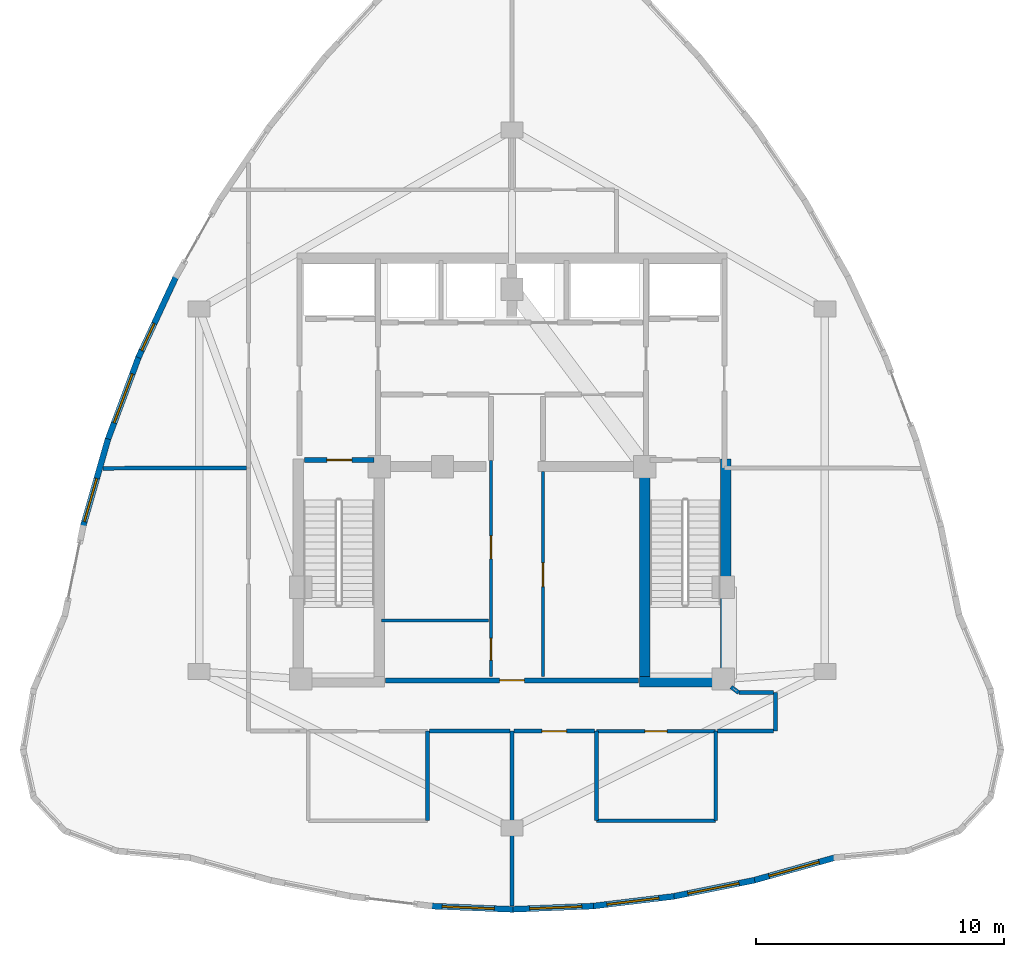
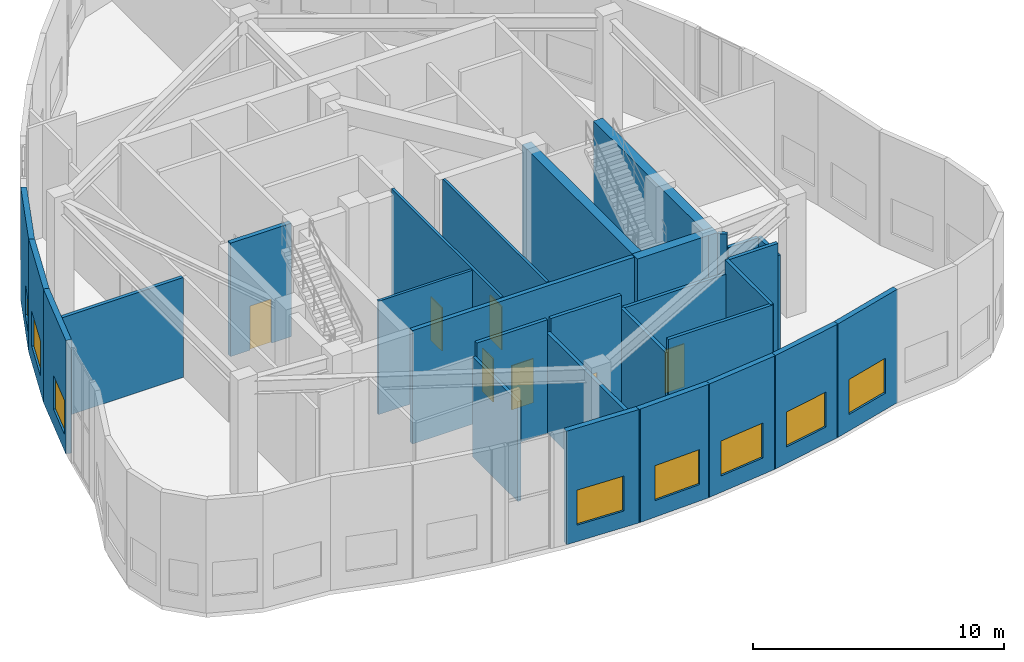
# One storey, part 12 of 16: 29 walls, 8 windows, 7 doors, 15 openings.
"""IFC4 building model written with IfcOpenShell, lengths in metres."""

from ifc_helpers import new_model, si_unit, direction, frame, frame_2d, origin, place, context, subcontext, project, spatial, rectangle, extrude, material, layer, layer_set, type_object, element, fill, save


model = new_model("IFC4")

# Units and contexts
model_context = context("Model", 3, precision=1e-05, world=origin(), true_north=direction((0.0, 1.0)))
body_context = subcontext(model_context, "Body", "Model", "MODEL_VIEW")
ifc_project = project(units=[si_unit("LENGTHUNIT", "METRE"), si_unit("AREAUNIT", "SQUARE_METRE"), si_unit("VOLUMEUNIT", "CUBIC_METRE"), si_unit("PLANEANGLEUNIT", "RADIAN"), si_unit("MASSUNIT", "GRAM", prefix="KILO")], contexts=[model_context])

# Site, building, storey
site_placement = place(None, origin())
site = spatial("IfcSite", under=ifc_project, at=site_placement, CompositionType="ELEMENT")
building_placement = place(site_placement, origin())
building = spatial("IfcBuilding", under=site, at=building_placement, Name="Miruveldt Soraemaru", CompositionType="ELEMENT")
storey_placement = place(building_placement, frame((0.0, 0.0, 289.60009765625)))
storey = spatial("IfcBuildingStorey", under=building, at=storey_placement, Name="L78", CompositionType="ELEMENT", Elevation=289.60009765625)

# Walls
ifc_material_1 = material(Name="Concrete C50/60 (50 MPa)", Category="concrete")
ifc_layer_1 = layer(ifc_material_1, 0.419921875, Name="Concrete C50/60 (50 MPa)", Category="concrete")
ifc_layer_set_1 = layer_set([ifc_layer_1], Name="Concrete C50/60 (50 MPa)")
wall_type_1 = type_object("IfcWallType", Name="WALL-CW-420", PredefinedType="SHEAR", material=ifc_layer_set_1)
wall_1_placement = place(storey_placement, frame((49.1298828125, 35.389892578125, 0.0), z_axis=(0.0, 0.0, 1.0), x_axis=(1.0, 0.0, 0.0)))
element("IfcWall", 1, at=wall_1_placement, inside=storey, type_object=wall_type_1, Name="L78 Central Core Shear Wall S2", PredefinedType="SHEAR", context=body_context, shape_type="SweptSolid", body=[
    extrude(rectangle(XDim=3.690185546875, YDim=0.419921875, at=frame_2d((1.84521484375, 0.0))), origin(), (0.0, 0.0, 1.0), 5.510009765625),
])
wall_2_placement = place(storey_placement, frame((52.610107421875, 35.179931640625, 0.0), z_axis=(0.0, 0.0, 1.0), x_axis=(0.0, 1.0, 0.0)))
element("IfcWall", 2, at=wall_2_placement, inside=storey, type_object=wall_type_1, Name="L78 Central Core Shear Wall E1", PredefinedType="SHEAR", context=body_context, shape_type="SweptSolid", body=[
    extrude(rectangle(XDim=9.170166015625, YDim=0.419921875, at=frame_2d((4.5849609375, 0.0))), origin(), (0.0, 0.0, 1.0), 5.510009765625),
])
wall_3_placement = place(storey_placement, frame((49.340087890625, 35.39990234375, 0.0), z_axis=(0.0, 0.0, 1.0), x_axis=(0.0, 1.0, 0.0)))
element("IfcWall", 3, at=wall_3_placement, inside=storey, type_object=wall_type_1, Name="L78 Central Core Shear Wall SE-INT", PredefinedType="SHEAR", context=body_context, shape_type="SweptSolid", body=[
    extrude(rectangle(XDim=8.9501953125, YDim=0.419921875, at=frame_2d((4.47509765625, 0.0))), origin(), (0.0, 0.0, 1.0), 5.510009765625),
])

# Wall, opening, window
ifc_material_2 = material(Name="Precast concrete C45/55 (45 MPa)", Category="concrete")
ifc_layer_2 = layer(ifc_material_2, 0.239990234375, Name="Precast concrete C45/55 (45 MPa)", Category="concrete")
ifc_layer_set_2 = layer_set([ifc_layer_2], Name="Precast concrete C45/55 (45 MPa)")
wall_type_2 = type_object("IfcWallType", Name="WALL-EXT-PC240", PredefinedType="SOLIDWALL", material=ifc_layer_set_2)
wall_4_placement = place(storey_placement, frame((30.482421875, 51.718017578125, 0.0), z_axis=(0.0, 0.0, 1.0), x_axis=(-0.422315808977, -0.906448761645, 0.0)))
wall_4 = element("IfcWall", 4, at=wall_4_placement, inside=storey, type_object=wall_type_2, Name="L78 Precast Concrete Facade Wall 11", PredefinedType="SOLIDWALL", context=body_context, shape_type="SweptSolid", body=[
    extrude(rectangle(XDim=3.61376953125, YDim=0.239990234375, at=frame_2d((1.806884765625, 0.0))), origin(), (0.0, 0.0, 1.0), 5.510009765625),
])
opening_1_placement = place(wall_4_placement, frame((2.094970703125, 0.0, 0.780029296875)))
opening_1 = element("IfcOpeningElement", 5, at=opening_1_placement, cuts=wall_4, Name="Opening WN-4", PredefinedType="OPENING", context=body_context, shape_type="SweptSolid", body=[
    extrude(rectangle(XDim=1.199951171875, YDim=1.550048828125, at=frame_2d((0.60009765625, 0.77490234375))), frame((0.0, 0.1298828125, 0.0), z_axis=(0.0, -1.0, 0.0), x_axis=(1.0, 0.0, 0.0)), (0.0, 0.0, 1.0), 0.260009765625),
])
ifc_material_3 = material(Name="Triple low-e insulated glazing", Category="glass")
window_type_1 = type_object("IfcWindowType", Name="WIN-PUNCH-1200x1550", PartitioningType="SINGLE_PANEL", PredefinedType="WINDOW", material=ifc_material_3)
window_1_placement = place(opening_1_placement, origin())
window_1 = element("IfcWindow", 6, at=window_1_placement, inside=storey, type_object=window_type_1, Name="L78 Punched Triple-Glazed Window 11.1", OverallHeight=1.550048828125, OverallWidth=1.199951171875, PartitioningType="SINGLE_PANEL", PredefinedType="WINDOW", context=body_context, shape_type="SweptSolid", body=[
    extrude(rectangle(XDim=1.199951171875, YDim=1.550048828125, at=frame_2d((0.60009765625, 0.77490234375))), frame((0.0, 0.030029296875, 0.0), z_axis=(0.0, -1.0, 0.0), x_axis=(1.0, 0.0, 0.0)), (0.0, 0.0, 1.0), 0.06005859375),
])
fill(opening_1, window_1)

wall_5_placement = place(storey_placement, frame((28.9833984375, 48.507080078125, 0.0), z_axis=(0.0, 0.0, 1.0), x_axis=(-0.349010754506, -0.937118718861, 0.0)))
wall_5 = element("IfcWall", 7, at=wall_5_placement, inside=storey, type_object=wall_type_2, Name="L78 Precast Concrete Facade Wall 12", PredefinedType="SOLIDWALL", context=body_context, shape_type="SweptSolid", body=[
    extrude(rectangle(XDim=3.63623046875, YDim=0.239990234375, at=frame_2d((1.818115234375, 0.0))), origin(), (0.0, 0.0, 1.0), 5.510009765625),
])
opening_2_placement = place(wall_5_placement, frame((0.76806640625, 0.0, 0.800048828125)))
opening_2 = element("IfcOpeningElement", 8, at=opening_2_placement, cuts=wall_5, Name="Opening WN-1", PredefinedType="OPENING", context=body_context, shape_type="SweptSolid", body=[
    extrude(rectangle(XDim=2.10009765625, YDim=1.699951171875, at=frame_2d((1.050048828125, 0.85009765625))), frame((0.0, 0.1298828125, 0.0), z_axis=(0.0, -1.0, 0.0), x_axis=(1.0, 0.0, 0.0)), (0.0, 0.0, 1.0), 0.260009765625),
])
window_type_2 = type_object("IfcWindowType", Name="WIN-PUNCH-2100x1700", PartitioningType="SINGLE_PANEL", PredefinedType="WINDOW", material=ifc_material_3)
window_2_placement = place(opening_2_placement, origin())
window_2 = element("IfcWindow", 9, at=window_2_placement, inside=storey, type_object=window_type_2, Name="L78 Punched Triple-Glazed Window 12.1", OverallHeight=1.699951171875, OverallWidth=2.10009765625, PartitioningType="SINGLE_PANEL", PredefinedType="WINDOW", context=body_context, shape_type="SweptSolid", body=[
    extrude(rectangle(XDim=2.10009765625, YDim=1.699951171875, at=frame_2d((1.050048828125, 0.85009765625))), frame((0.0, 0.030029296875, 0.0), z_axis=(0.0, -1.0, 0.0), x_axis=(1.0, 0.0, 0.0)), (0.0, 0.0, 1.0), 0.06005859375),
])
fill(opening_2, window_2)

wall_6_placement = place(storey_placement, frame((27.736083984375, 45.166015625, 0.0), z_axis=(0.0, 0.0, 1.0), x_axis=(-0.274940136743, -0.961461346705, 0.0)))
wall_6 = element("IfcWall", 10, at=wall_6_placement, inside=storey, type_object=wall_type_2, Name="L78 Precast Concrete Facade Wall 13", PredefinedType="SOLIDWALL", context=body_context, shape_type="SweptSolid", body=[
    extrude(rectangle(XDim=3.6806640625, YDim=0.239990234375, at=frame_2d((1.84033203125, 0.0))), origin(), (0.0, 0.0, 1.0), 5.510009765625),
])
opening_3_placement = place(wall_6_placement, frame((1.655029296875, 0.0, 0.800048828125)))
opening_3 = element("IfcOpeningElement", 11, at=opening_3_placement, cuts=wall_6, Name="Opening WN-2", PredefinedType="OPENING", context=body_context, shape_type="SweptSolid", body=[
    extrude(rectangle(XDim=1.800048828125, YDim=1.64990234375, at=frame_2d((0.89990234375, 0.824951171875))), frame((0.0, 0.1298828125, 0.0), z_axis=(0.0, -1.0, 0.0), x_axis=(1.0, 0.0, 0.0)), (0.0, 0.0, 1.0), 0.260009765625),
])
window_type_3 = type_object("IfcWindowType", Name="WIN-PUNCH-1800x1650", PartitioningType="SINGLE_PANEL", PredefinedType="WINDOW", material=ifc_material_3)
window_3_placement = place(opening_3_placement, origin())
window_3 = element("IfcWindow", 12, at=window_3_placement, inside=storey, type_object=window_type_3, Name="L78 Punched Triple-Glazed Window 13.1", OverallHeight=1.64990234375, OverallWidth=1.800048828125, PartitioningType="SINGLE_PANEL", PredefinedType="WINDOW", context=body_context, shape_type="SweptSolid", body=[
    extrude(rectangle(XDim=1.800048828125, YDim=1.64990234375, at=frame_2d((0.89990234375, 0.824951171875))), frame((0.0, 0.030029296875, 0.0), z_axis=(0.0, -1.0, 0.0), x_axis=(1.0, 0.0, 0.0)), (0.0, 0.0, 1.0), 0.06005859375),
])
fill(opening_3, window_3)

wall_7_placement = place(storey_placement, frame((40.72021484375, 26.358642578125, 0.0), z_axis=(0.0, 0.0, 1.0), x_axis=(0.999201193833, -0.039962160142, 0.0)))
wall_7 = element("IfcWall", 13, at=wall_7_placement, inside=storey, type_object=wall_type_2, Name="L78 Precast Concrete Facade Wall 24", PredefinedType="SOLIDWALL", context=body_context, shape_type="SweptSolid", body=[
    extrude(rectangle(XDim=3.3173828125, YDim=0.239990234375, at=frame_2d((1.65869140625, 0.0))), origin(), (0.0, 0.0, 1.0), 5.510009765625),
])
opening_4_placement = place(wall_7_placement, frame((0.468994140625, 0.0, 0.800048828125)))
opening_4 = element("IfcOpeningElement", 14, at=opening_4_placement, cuts=wall_7, Name="Opening WN-1", PredefinedType="OPENING", context=body_context, shape_type="SweptSolid", body=[
    extrude(rectangle(XDim=2.10009765625, YDim=1.699951171875, at=frame_2d((1.050048828125, 0.85009765625))), frame((0.0, 0.1298828125, 0.0), z_axis=(0.0, -1.0, 0.0), x_axis=(1.0, 0.0, 0.0)), (0.0, 0.0, 1.0), 0.260009765625),
])
window_4_placement = place(opening_4_placement, origin())
window_4 = element("IfcWindow", 15, at=window_4_placement, inside=storey, type_object=window_type_2, Name="L78 Punched Triple-Glazed Window 24.1", OverallHeight=1.699951171875, OverallWidth=2.10009765625, PartitioningType="SINGLE_PANEL", PredefinedType="WINDOW", context=body_context, shape_type="SweptSolid", body=[
    extrude(rectangle(XDim=2.10009765625, YDim=1.699951171875, at=frame_2d((1.050048828125, 0.85009765625))), frame((0.0, 0.030029296875, 0.0), z_axis=(0.0, -1.0, 0.0), x_axis=(1.0, 0.0, 0.0)), (0.0, 0.0, 1.0), 0.06005859375),
])
fill(opening_4, window_4)

wall_8_placement = place(storey_placement, frame((43.965087890625, 26.22607421875, 0.0), z_axis=(0.0, 0.0, 1.0), x_axis=(0.999201193833, 0.039962160142, 0.0)))
wall_8 = element("IfcWall", 16, at=wall_8_placement, inside=storey, type_object=wall_type_2, Name="L78 Precast Concrete Facade Wall 25", PredefinedType="SOLIDWALL", context=body_context, shape_type="SweptSolid", body=[
    extrude(rectangle(XDim=3.3173828125, YDim=0.239990234375, at=frame_2d((1.65869140625, 0.0))), origin(), (0.0, 0.0, 1.0), 5.510009765625),
])
opening_5_placement = place(wall_8_placement, frame((0.748046875, 0.0, 0.800048828125)))
opening_5 = element("IfcOpeningElement", 17, at=opening_5_placement, cuts=wall_8, Name="Opening WN-1", PredefinedType="OPENING", context=body_context, shape_type="SweptSolid", body=[
    extrude(rectangle(XDim=2.10009765625, YDim=1.699951171875, at=frame_2d((1.050048828125, 0.85009765625))), frame((0.0, 0.1298828125, 0.0), z_axis=(0.0, -1.0, 0.0), x_axis=(1.0, 0.0, 0.0)), (0.0, 0.0, 1.0), 0.260009765625),
])
window_5_placement = place(opening_5_placement, origin())
window_5 = element("IfcWindow", 18, at=window_5_placement, inside=storey, type_object=window_type_2, Name="L78 Punched Triple-Glazed Window 25.1", OverallHeight=1.699951171875, OverallWidth=2.10009765625, PartitioningType="SINGLE_PANEL", PredefinedType="WINDOW", context=body_context, shape_type="SweptSolid", body=[
    extrude(rectangle(XDim=2.10009765625, YDim=1.699951171875, at=frame_2d((1.050048828125, 0.85009765625))), frame((0.0, 0.030029296875, 0.0), z_axis=(0.0, -1.0, 0.0), x_axis=(1.0, 0.0, 0.0)), (0.0, 0.0, 1.0), 0.06005859375),
])
fill(opening_5, window_5)

wall_9_placement = place(storey_placement, frame((47.2099609375, 26.35302734375, 0.0), z_axis=(0.0, 0.0, 1.0), x_axis=(0.992876838487, 0.119145220618, 0.0)))
wall_9 = element("IfcWall", 19, at=wall_9_placement, inside=storey, type_object=wall_type_2, Name="L78 Precast Concrete Facade Wall 26", PredefinedType="SOLIDWALL", context=body_context, shape_type="SweptSolid", body=[
    extrude(rectangle(XDim=3.337890625, YDim=0.239990234375, at=frame_2d((1.6689453125, 0.0))), origin(), (0.0, 0.0, 1.0), 5.510009765625),
])
opening_6_placement = place(wall_9_placement, frame((0.618896484375, 0.0, 0.800048828125)))
opening_6 = element("IfcOpeningElement", 20, at=opening_6_placement, cuts=wall_9, Name="Opening WN-1", PredefinedType="OPENING", context=body_context, shape_type="SweptSolid", body=[
    extrude(rectangle(XDim=2.10009765625, YDim=1.699951171875, at=frame_2d((1.050048828125, 0.85009765625))), frame((0.0, 0.1298828125, 0.0), z_axis=(0.0, -1.0, 0.0), x_axis=(1.0, 0.0, 0.0)), (0.0, 0.0, 1.0), 0.260009765625),
])
window_6_placement = place(opening_6_placement, origin())
window_6 = element("IfcWindow", 21, at=window_6_placement, inside=storey, type_object=window_type_2, Name="L78 Punched Triple-Glazed Window 26.1", OverallHeight=1.699951171875, OverallWidth=2.10009765625, PartitioningType="SINGLE_PANEL", PredefinedType="WINDOW", context=body_context, shape_type="SweptSolid", body=[
    extrude(rectangle(XDim=2.10009765625, YDim=1.699951171875, at=frame_2d((1.050048828125, 0.85009765625))), frame((0.0, 0.030029296875, 0.0), z_axis=(0.0, -1.0, 0.0), x_axis=(1.0, 0.0, 0.0)), (0.0, 0.0, 1.0), 0.06005859375),
])
fill(opening_6, window_6)

wall_10_placement = place(storey_placement, frame((50.455078125, 26.73974609375, 0.0), z_axis=(0.0, 0.0, 1.0), x_axis=(0.980583454662, 0.196102239772, 0.0)))
wall_10 = element("IfcWall", 22, at=wall_10_placement, inside=storey, type_object=wall_type_2, Name="L78 Precast Concrete Facade Wall 27", PredefinedType="SOLIDWALL", context=body_context, shape_type="SweptSolid", body=[
    extrude(rectangle(XDim=3.37890625, YDim=0.239990234375, at=frame_2d((1.689453125, 0.0))), origin(), (0.0, 0.0, 1.0), 5.510009765625),
])
opening_7_placement = place(wall_10_placement, frame((0.638916015625, 0.0, 0.800048828125)))
opening_7 = element("IfcOpeningElement", 23, at=opening_7_placement, cuts=wall_10, Name="Opening WN-1", PredefinedType="OPENING", context=body_context, shape_type="SweptSolid", body=[
    extrude(rectangle(XDim=2.10009765625, YDim=1.699951171875, at=frame_2d((1.050048828125, 0.85009765625))), frame((0.0, 0.1298828125, 0.0), z_axis=(0.0, -1.0, 0.0), x_axis=(1.0, 0.0, 0.0)), (0.0, 0.0, 1.0), 0.260009765625),
])
window_7_placement = place(opening_7_placement, origin())
window_7 = element("IfcWindow", 24, at=window_7_placement, inside=storey, type_object=window_type_2, Name="L78 Punched Triple-Glazed Window 27.1", OverallHeight=1.699951171875, OverallWidth=2.10009765625, PartitioningType="SINGLE_PANEL", PredefinedType="WINDOW", context=body_context, shape_type="SweptSolid", body=[
    extrude(rectangle(XDim=2.10009765625, YDim=1.699951171875, at=frame_2d((1.050048828125, 0.85009765625))), frame((0.0, 0.030029296875, 0.0), z_axis=(0.0, -1.0, 0.0), x_axis=(1.0, 0.0, 0.0)), (0.0, 0.0, 1.0), 0.06005859375),
])
fill(opening_7, window_7)

wall_11_placement = place(storey_placement, frame((53.7001953125, 27.385986328125, 0.0), z_axis=(0.0, 0.0, 1.0), x_axis=(0.962954435357, 0.269664153024, 0.0)))
wall_11 = element("IfcWall", 25, at=wall_11_placement, inside=storey, type_object=wall_type_2, Name="L78 Precast Concrete Facade Wall 28", PredefinedType="SOLIDWALL", context=body_context, shape_type="SweptSolid", body=[
    extrude(rectangle(XDim=3.439453125, YDim=0.239990234375, at=frame_2d((1.7197265625, 0.0))), origin(), (0.0, 0.0, 1.0), 5.510009765625),
])
opening_8_placement = place(wall_11_placement, frame((0.6689453125, 0.0, 0.800048828125)))
opening_8 = element("IfcOpeningElement", 26, at=opening_8_placement, cuts=wall_11, Name="Opening WN-1", PredefinedType="OPENING", context=body_context, shape_type="SweptSolid", body=[
    extrude(rectangle(XDim=2.10009765625, YDim=1.699951171875, at=frame_2d((1.050048828125, 0.85009765625))), frame((0.0, 0.1298828125, 0.0), z_axis=(0.0, -1.0, 0.0), x_axis=(1.0, 0.0, 0.0)), (0.0, 0.0, 1.0), 0.260009765625),
])
window_8_placement = place(opening_8_placement, origin())
window_8 = element("IfcWindow", 27, at=window_8_placement, inside=storey, type_object=window_type_2, Name="L78 Punched Triple-Glazed Window 28.1", OverallHeight=1.699951171875, OverallWidth=2.10009765625, PartitioningType="SINGLE_PANEL", PredefinedType="WINDOW", context=body_context, shape_type="SweptSolid", body=[
    extrude(rectangle(XDim=2.10009765625, YDim=1.699951171875, at=frame_2d((1.050048828125, 0.85009765625))), frame((0.0, 0.030029296875, 0.0), z_axis=(0.0, -1.0, 0.0), x_axis=(1.0, 0.0, 0.0)), (0.0, 0.0, 1.0), 0.06005859375),
])
fill(opening_8, window_8)

# Wall, openings, doors
ifc_material_4 = material(Name="Gypsum plasterboard lining", Category="gypsum")
ifc_layer_3 = layer(ifc_material_4, 0.1201171875, Name="Gypsum plasterboard lining", Category="gypsum")
ifc_layer_set_3 = layer_set([ifc_layer_3], Name="Gypsum plasterboard lining")
wall_type_3 = type_object("IfcWallType", Name="WALL-INT-P120", PredefinedType="PARTITIONING", material=ifc_layer_set_3)
wall_12_placement = place(storey_placement, frame((43.14990234375, 35.60009765625, 0.0), z_axis=(0.0, 0.0, 1.0), x_axis=(0.0, 1.0, 0.0)))
wall_12 = element("IfcWall", 28, at=wall_12_placement, inside=storey, type_object=wall_type_3, Name="L78 Core Compartment Wall SP-WL", PredefinedType="PARTITIONING", context=body_context, shape_type="SweptSolid", body=[
    extrude(rectangle(XDim=8.699951171875, YDim=0.1201171875, at=frame_2d((4.35009765625, 0.0))), origin(), (0.0, 0.0, 1.0), 5.510009765625),
])
opening_9_placement = place(wall_12_placement, frame((0.659912109375, 0.0, 0.0)))
opening_9 = element("IfcOpeningElement", 29, at=opening_9_placement, cuts=wall_12, Name="Opening D4", PredefinedType="OPENING", context=body_context, shape_type="SweptSolid", body=[
    extrude(rectangle(XDim=0.8798828125, YDim=2.10009765625, at=frame_2d((0.43994140625, 1.050048828125))), frame((0.0, 0.070068359375, 0.0), z_axis=(0.0, -1.0, 0.0), x_axis=(1.0, 0.0, 0.0)), (0.0, 0.0, 1.0), 0.14013671875),
])
opening_10_placement = place(wall_12_placement, frame((4.739990234375, 0.0, 0.0)))
opening_10 = element("IfcOpeningElement", 30, at=opening_10_placement, cuts=wall_12, Name="Opening D3A", PredefinedType="OPENING", context=body_context, shape_type="SweptSolid", body=[
    extrude(rectangle(XDim=0.919921875, YDim=2.10009765625, at=frame_2d((0.4599609375, 1.050048828125))), frame((0.0, 0.070068359375, 0.0), z_axis=(0.0, -1.0, 0.0), x_axis=(1.0, 0.0, 0.0)), (0.0, 0.0, 1.0), 0.14013671875),
])
ifc_material_5 = material(Name="Anodised aluminium EN AW-6063 T6", Category="aluminium")
door_type_1 = type_object("IfcDoorType", Name="DOOR-INT-880", OperationType="NOTDEFINED", PredefinedType="DOOR", material=ifc_material_5)
door_1_placement = place(opening_9_placement, origin())
door_1 = element("IfcDoor", 31, at=door_1_placement, inside=storey, type_object=door_type_1, Name="L78 Fire Door", OperationType="SINGLE_SWING_LEFT", OverallHeight=2.10009765625, OverallWidth=0.8798828125, PredefinedType="DOOR", context=body_context, shape_type="SweptSolid", body=[
    extrude(rectangle(XDim=0.8798828125, YDim=2.10009765625, at=frame_2d((0.43994140625, 1.050048828125))), frame((0.0, 0.02490234375, 0.0), z_axis=(0.0, -1.0, 0.0), x_axis=(1.0, 0.0, 0.0)), (0.0, 0.0, 1.0), 0.050048828125),
])
fill(opening_9, door_1)
door_type_2 = type_object("IfcDoorType", Name="DOOR-INT-920", OperationType="NOTDEFINED", PredefinedType="DOOR", material=ifc_material_5)
door_2_placement = place(opening_10_placement, origin())
door_2 = element("IfcDoor", 32, at=door_2_placement, inside=storey, type_object=door_type_2, Name="L78 Fire Door", OperationType="SINGLE_SWING_LEFT", OverallHeight=2.10009765625, OverallWidth=0.919921875, PredefinedType="DOOR", context=body_context, shape_type="SweptSolid", body=[
    extrude(rectangle(XDim=0.919921875, YDim=2.10009765625, at=frame_2d((0.4599609375, 1.050048828125))), frame((0.0, 0.02490234375, 0.0), z_axis=(0.0, -1.0, 0.0), x_axis=(1.0, 0.0, 0.0)), (0.0, 0.0, 1.0), 0.050048828125),
])
fill(opening_10, door_2)

# Wall, opening, door
wall_13_placement = place(storey_placement, frame((45.25, 35.60009765625, 0.0), z_axis=(0.0, 0.0, 1.0), x_axis=(0.0, 1.0, 0.0)))
wall_13 = element("IfcWall", 33, at=wall_13_placement, inside=storey, type_object=wall_type_3, Name="L78 Core Compartment Wall SP-EL", PredefinedType="PARTITIONING", context=body_context, shape_type="SweptSolid", body=[
    extrude(rectangle(XDim=8.25, YDim=0.1201171875, at=frame_2d((4.125, 0.0))), origin(), (0.0, 0.0, 1.0), 5.510009765625),
])
opening_11_placement = place(wall_13_placement, frame((3.625, 0.0, 0.0)))
opening_11 = element("IfcOpeningElement", 34, at=opening_11_placement, cuts=wall_13, Name="Opening D2", PredefinedType="OPENING", context=body_context, shape_type="SweptSolid", body=[
    extrude(rectangle(XDim=0.949951171875, YDim=2.10009765625, at=frame_2d((0.47509765625, 1.050048828125))), frame((0.0, 0.070068359375, 0.0), z_axis=(0.0, -1.0, 0.0), x_axis=(1.0, 0.0, 0.0)), (0.0, 0.0, 1.0), 0.14013671875),
])
door_type_3 = type_object("IfcDoorType", Name="DOOR-INT-950", OperationType="NOTDEFINED", PredefinedType="DOOR", material=ifc_material_5)
door_3_placement = place(opening_11_placement, origin())
door_3 = element("IfcDoor", 35, at=door_3_placement, inside=storey, type_object=door_type_3, Name="L78 Fire Door", OperationType="SINGLE_SWING_LEFT", OverallHeight=2.10009765625, OverallWidth=0.949951171875, PredefinedType="DOOR", context=body_context, shape_type="SweptSolid", body=[
    extrude(rectangle(XDim=0.949951171875, YDim=2.10009765625, at=frame_2d((0.47509765625, 1.050048828125))), frame((0.0, 0.02490234375, 0.0), z_axis=(0.0, -1.0, 0.0), x_axis=(1.0, 0.0, 0.0)), (0.0, 0.0, 1.0), 0.050048828125),
])
fill(opening_11, door_3)

# Wall
wall_14_placement = place(storey_placement, frame((38.75, 37.85009765625, 0.0), z_axis=(0.0, 0.0, 1.0), x_axis=(1.0, 0.0, 0.0)))
element("IfcWall", 36, at=wall_14_placement, inside=storey, type_object=wall_type_3, Name="L78 Core Compartment Wall RL-W1H", PredefinedType="PARTITIONING", context=body_context, shape_type="SweptSolid", body=[
    extrude(rectangle(XDim=4.300048828125, YDim=0.1201171875, at=frame_2d((2.14990234375, 0.0))), origin(), (0.0, 0.0, 1.0), 5.510009765625),
])

# Wall, opening, door
ifc_layer_4 = layer(ifc_material_4, 0.14990234375, Name="Gypsum plasterboard lining", Category="gypsum")
ifc_layer_set_4 = layer_set([ifc_layer_4], Name="Gypsum plasterboard lining")
wall_type_4 = type_object("IfcWallType", Name="WALL-INT-PLUMB", PredefinedType="PLUMBINGWALL", material=ifc_layer_set_4)
wall_15_placement = place(storey_placement, frame((47.39990234375, 33.39990234375, 0.0), z_axis=(0.0, 0.0, 1.0), x_axis=(1.0, 0.0, 0.0)))
wall_15 = element("IfcWall", 37, at=wall_15_placement, inside=storey, type_object=wall_type_4, Name="L78 Partition Wall 2", PredefinedType="PLUMBINGWALL", context=body_context, shape_type="SweptSolid", body=[
    extrude(rectangle(XDim=4.800048828125, YDim=0.14990234375, at=frame_2d((2.39990234375, 0.0))), origin(), (0.0, 0.0, 1.0), 4.847900390625),
])
opening_12_placement = place(wall_15_placement, frame((1.949951171875, 0.0, 0.0)))
opening_12 = element("IfcOpeningElement", 38, at=opening_12_placement, cuts=wall_15, Name="Opening D3", PredefinedType="OPENING", context=body_context, shape_type="SweptSolid", body=[
    extrude(rectangle(XDim=0.89990234375, YDim=2.10009765625, at=frame_2d((0.449951171875, 1.050048828125))), frame((0.0, 0.0849609375, 0.0), z_axis=(0.0, -1.0, 0.0), x_axis=(1.0, 0.0, 0.0)), (0.0, 0.0, 1.0), 0.169921875),
])
door_type_4 = type_object("IfcDoorType", Name="DOOR-INT-900", OperationType="NOTDEFINED", PredefinedType="DOOR", material=ifc_material_5)
door_4_placement = place(opening_12_placement, origin())
door_4 = element("IfcDoor", 39, at=door_4_placement, inside=storey, type_object=door_type_4, Name="L78 Accessible WC Door", OperationType="SINGLE_SWING_LEFT", OverallHeight=2.10009765625, OverallWidth=0.89990234375, PredefinedType="DOOR", context=body_context, shape_type="SweptSolid", body=[
    extrude(rectangle(XDim=0.89990234375, YDim=2.10009765625, at=frame_2d((0.449951171875, 1.050048828125))), frame((0.0, 0.02490234375, 0.0), z_axis=(0.0, -1.0, 0.0), x_axis=(1.0, 0.0, 0.0)), (0.0, 0.0, 1.0), 0.050048828125),
])
fill(opening_12, door_4)

# Walls
wall_16_placement = place(storey_placement, frame((47.39990234375, 29.800048828125, 0.0), z_axis=(0.0, 0.0, 1.0), x_axis=(1.0, 0.0, 0.0)))
element("IfcWall", 40, at=wall_16_placement, inside=storey, type_object=wall_type_4, Name="L78 Partition Wall 22", PredefinedType="PLUMBINGWALL", context=body_context, shape_type="SweptSolid", body=[
    extrude(rectangle(XDim=4.800048828125, YDim=0.14990234375, at=frame_2d((2.39990234375, 0.0))), origin(), (0.0, 0.0, 1.0), 5.510009765625),
])
for number, where, z_axis, x_axis, name in (
    (41, (40.60009765625, 29.800048828125, 0.0), (0.0, 0.0, 1.0), (0.0, 1.0, 0.0), "L78 Partition Wall 20"),
    (42, (47.39990234375, 33.39990234375, 0.0), (0.0, 0.0, 1.0), (0.0, -1.0, 0.0), "L78 Partition Wall 21"),
):
    element("IfcWall", number, at=place(storey_placement, frame(where, z_axis=z_axis, x_axis=x_axis)), inside=storey, type_object=wall_type_4, Name=name, PredefinedType="PLUMBINGWALL", context=body_context, shape_type="SweptSolid", body=[
        extrude(rectangle(XDim=3.599853515625, YDim=0.14990234375, at=frame_2d((1.7998046875, 0.0))), origin(), (0.0, 0.0, 1.0), 4.847900390625),
    ])
wall_17_placement = place(storey_placement, frame((52.199951171875, 29.800048828125, 0.0), z_axis=(0.0, 0.0, 1.0), x_axis=(0.0, 1.0, 0.0)))
element("IfcWall", 43, at=wall_17_placement, inside=storey, type_object=wall_type_4, Name="L78 Partition Wall 23", PredefinedType="PLUMBINGWALL", context=body_context, shape_type="SweptSolid", body=[
    extrude(rectangle(XDim=3.599853515625, YDim=0.14990234375, at=frame_2d((1.7998046875, 0.0))), origin(), (0.0, 0.0, 1.0), 5.510009765625),
])

# Wall, opening, door
ifc_material_6 = material(Name="Concrete C40/50 (40 MPa)", Category="concrete")
ifc_layer_5 = layer(ifc_material_6, 0.159912109375, Name="Concrete C40/50 (40 MPa)", Category="concrete")
ifc_layer_set_5 = layer_set([ifc_layer_5], Name="Concrete C40/50 (40 MPa)")
wall_type_5 = type_object("IfcWallType", Name="WALL-INT-RC160", PredefinedType="SOLIDWALL", material=ifc_layer_set_5)
wall_18_placement = place(storey_placement, frame((44.080078125, 33.39990234375, 0.0), z_axis=(0.0, 0.0, 1.0), x_axis=(1.0, 0.0, 0.0)))
wall_18 = element("IfcWall", 44, at=wall_18_placement, inside=storey, type_object=wall_type_5, Name="L78 Partition Wall 8", PredefinedType="SOLIDWALL", context=body_context, shape_type="SweptSolid", body=[
    extrude(rectangle(XDim=3.239990234375, YDim=0.159912109375, at=frame_2d((1.6201171875, 0.0))), origin(), (0.0, 0.0, 1.0), 5.510009765625),
])
opening_13_placement = place(wall_18_placement, frame((1.1201171875, 0.0, 0.0)))
opening_13 = element("IfcOpeningElement", 45, at=opening_13_placement, cuts=wall_18, Name="Opening FD2A", PredefinedType="OPENING", context=body_context, shape_type="SweptSolid", body=[
    extrude(rectangle(XDim=1.0, YDim=2.14990234375, at=frame_2d((0.5, 1.074951171875))), frame((0.0, 0.08984375, 0.0), z_axis=(0.0, -1.0, 0.0), x_axis=(1.0, 0.0, 0.0)), (0.0, 0.0, 1.0), 0.179931640625),
])
door_type_5 = type_object("IfcDoorType", Name="DOOR-FD2-1000", OperationType="NOTDEFINED", PredefinedType="DOOR", material=ifc_material_5)
door_5_placement = place(opening_13_placement, origin())
door_5 = element("IfcDoor", 46, at=door_5_placement, inside=storey, type_object=door_type_5, Name="L78 Sky Observatory Cafe and Bistro Door", OperationType="SINGLE_SWING_LEFT", OverallHeight=2.14990234375, OverallWidth=1.0, PredefinedType="DOOR", context=body_context, shape_type="SweptSolid", body=[
    extrude(rectangle(XDim=1.0, YDim=2.14990234375, at=frame_2d((0.5, 1.074951171875))), frame((0.0, 0.02490234375, 0.0), z_axis=(0.0, -1.0, 0.0), x_axis=(1.0, 0.0, 0.0)), (0.0, 0.0, 1.0), 0.050048828125),
])
fill(opening_13, door_5)

# Walls
wall_19_placement = place(storey_placement, frame((44.0, 26.363037109375, 0.0), z_axis=(0.0, 0.0, 1.0), x_axis=(0.0, 1.0, 0.0)))
element("IfcWall", 47, at=wall_19_placement, inside=storey, type_object=wall_type_5, Name="L78 Partition Wall 24", PredefinedType="SOLIDWALL", context=body_context, shape_type="SweptSolid", body=[
    extrude(rectangle(XDim=7.036865234375, YDim=0.159912109375, at=frame_2d((3.5185546875, 0.0))), origin(), (0.0, 0.0, 1.0), 4.847900390625),
])
wall_20_placement = place(storey_placement, frame((33.320068359375, 44.0, 0.0), z_axis=(0.0, 0.0, 1.0), x_axis=(-0.999996681813, -0.002576113754, 0.0)))
element("IfcWall", 48, at=wall_20_placement, inside=storey, type_object=wall_type_5, Name="L78 Partition Wall 25", PredefinedType="SOLIDWALL", context=body_context, shape_type="SweptSolid", body=[
    extrude(rectangle(XDim=5.781005859375, YDim=0.159912109375, at=frame_2d((2.890625, 0.0))), origin(), (0.0, 0.0, 1.0), 4.847900390625),
])
wall_21_placement = place(storey_placement, frame((40.679931640625, 33.39990234375, 0.0), z_axis=(0.0, 0.0, 1.0), x_axis=(1.0, 0.0, 0.0)))
element("IfcWall", 49, at=wall_21_placement, inside=storey, type_object=wall_type_5, Name="L78 Partition Wall 7", PredefinedType="SOLIDWALL", context=body_context, shape_type="SweptSolid", body=[
    extrude(rectangle(XDim=3.239990234375, YDim=0.159912109375, at=frame_2d((1.6201171875, 0.0))), origin(), (0.0, 0.0, 1.0), 5.510009765625),
])
wall_22_placement = place(storey_placement, frame((52.280029296875, 33.39990234375, 0.0), z_axis=(0.0, 0.0, 1.0), x_axis=(1.0, 0.0, 0.0)))
element("IfcWall", 50, at=wall_22_placement, inside=storey, type_object=wall_type_5, Name="L78 Partition Wall 9", PredefinedType="SOLIDWALL", context=body_context, shape_type="SweptSolid", body=[
    extrude(rectangle(XDim=2.239990234375, YDim=0.159912109375, at=frame_2d((1.1201171875, 0.0))), origin(), (0.0, 0.0, 1.0), 5.510009765625),
])
wall_23_placement = place(storey_placement, frame((54.60009765625, 33.39990234375, 0.0), z_axis=(0.0, 0.0, 1.0), x_axis=(0.0, 1.0, 0.0)))
element("IfcWall", 51, at=wall_23_placement, inside=storey, type_object=wall_type_5, Name="L78 Partition Wall 10", PredefinedType="SOLIDWALL", context=body_context, shape_type="SweptSolid", body=[
    extrude(rectangle(XDim=1.550048828125, YDim=0.159912109375, at=frame_2d((0.77490234375, 0.0))), origin(), (0.0, 0.0, 1.0), 4.847900390625),
])
wall_24_placement = place(storey_placement, frame((54.52001953125, 34.949951171875, 0.0), z_axis=(0.0, 0.0, 1.0), x_axis=(-1.0, 0.0, 0.0)))
element("IfcWall", 52, at=wall_24_placement, inside=storey, type_object=wall_type_5, Name="L78 Partition Wall 11", PredefinedType="SOLIDWALL", context=body_context, shape_type="SweptSolid", body=[
    extrude(rectangle(XDim=1.39013671875, YDim=0.159912109375, at=frame_2d((0.695068359375, 0.0))), origin(), (0.0, 0.0, 1.0), 4.847900390625),
])
wall_25_placement = place(storey_placement, frame((53.1298828125, 34.949951171875, 0.0), z_axis=(0.0, 0.0, 1.0), x_axis=(-0.802951496235, 0.596044373092, 0.0)))
element("IfcWall", 53, at=wall_25_placement, inside=storey, type_object=wall_type_5, Name="L78 Partition Closure Return 1", PredefinedType="SOLIDWALL", context=body_context, shape_type="SweptSolid", body=[
    extrude(rectangle(XDim=0.3857421875, YDim=0.159912109375, at=frame_2d((0.19287109375, 0.0))), origin(), (0.0, 0.0, 1.0), 5.510009765625),
])

# Wall, opening, door
ifc_layer_6 = layer(ifc_material_6, 0.199951171875, Name="Concrete C40/50 (40 MPa)", Category="concrete")
ifc_layer_set_6 = layer_set([ifc_layer_6], Name="Concrete C40/50 (40 MPa)")
wall_type_6 = type_object("IfcWallType", Name="WALL-INT-RC200", PredefinedType="SOLIDWALL", material=ifc_layer_set_6)
wall_26_placement = place(storey_placement, frame((38.89990234375, 35.449951171875, 0.0), z_axis=(0.0, 0.0, 1.0), x_axis=(1.0, 0.0, 0.0)))
wall_26 = element("IfcWall", 54, at=wall_26_placement, inside=storey, type_object=wall_type_6, Name="L78 Core Compartment Wall CS-S", PredefinedType="SOLIDWALL", context=body_context, shape_type="SweptSolid", body=[
    extrude(rectangle(XDim=10.2001953125, YDim=0.199951171875, at=frame_2d((5.10009765625, 0.0))), origin(), (0.0, 0.0, 1.0), 5.510009765625),
])
opening_14_placement = place(wall_26_placement, frame((4.60009765625, 0.0, 0.0)))
opening_14 = element("IfcOpeningElement", 55, at=opening_14_placement, cuts=wall_26, Name="Opening FD1", PredefinedType="OPENING", context=body_context, shape_type="SweptSolid", body=[
    extrude(rectangle(XDim=1.0, YDim=2.14990234375, at=frame_2d((0.5, 1.074951171875))), frame((0.0, 0.10986328125, 0.0), z_axis=(0.0, -1.0, 0.0), x_axis=(1.0, 0.0, 0.0)), (0.0, 0.0, 1.0), 0.219970703125),
])
door_type_6 = type_object("IfcDoorType", Name="DOOR-FD1-1000", OperationType="NOTDEFINED", PredefinedType="DOOR", material=ifc_material_5)
door_6_placement = place(opening_14_placement, origin())
door_6 = element("IfcDoor", 56, at=door_6_placement, inside=storey, type_object=door_type_6, Name="L78 Core South Lobby Fire Door", OperationType="SINGLE_SWING_LEFT", OverallHeight=2.14990234375, OverallWidth=1.0, PredefinedType="DOOR", context=body_context, shape_type="SweptSolid", body=[
    extrude(rectangle(XDim=1.0, YDim=2.14990234375, at=frame_2d((0.5, 1.074951171875))), frame((0.0, 0.02490234375, 0.0), z_axis=(0.0, -1.0, 0.0), x_axis=(1.0, 0.0, 0.0)), (0.0, 0.0, 1.0), 0.050048828125),
])
fill(opening_14, door_6)

wall_27_placement = place(storey_placement, frame((35.64990234375, 44.320068359375, 0.0), z_axis=(0.0, 0.0, 1.0), x_axis=(1.0, 0.0, 0.0)))
wall_27 = element("IfcWall", 57, at=wall_27_placement, inside=storey, type_object=wall_type_6, Name="L78 Core Compartment Wall ST1-N", PredefinedType="SOLIDWALL", context=body_context, shape_type="SweptSolid", body=[
    extrude(rectangle(XDim=2.800048828125, YDim=0.199951171875, at=frame_2d((1.39990234375, 0.0))), origin(), (0.0, 0.0, 1.0), 5.510009765625),
])
opening_15_placement = place(wall_27_placement, frame((0.89990234375, 0.0, 0.0)))
opening_15 = element("IfcOpeningElement", 58, at=opening_15_placement, cuts=wall_27, Name="Opening FD1", PredefinedType="OPENING", context=body_context, shape_type="SweptSolid", body=[
    extrude(rectangle(XDim=1.0, YDim=2.14990234375, at=frame_2d((0.5, 1.074951171875))), frame((0.0, 0.10986328125, 0.0), z_axis=(0.0, -1.0, 0.0), x_axis=(1.0, 0.0, 0.0)), (0.0, 0.0, 1.0), 0.219970703125),
])
door_7_placement = place(opening_15_placement, frame((1.0, 0.0, 0.0), z_axis=(0.0, 0.0, 1.0), x_axis=(-1.0, 0.0, 0.0)))
door_7 = element("IfcDoor", 59, at=door_7_placement, inside=storey, type_object=door_type_6, Name="L78 Stair ST-1 Fire Door", OperationType="SINGLE_SWING_LEFT", OverallHeight=2.14990234375, OverallWidth=1.0, PredefinedType="DOOR", context=body_context, shape_type="SweptSolid", body=[
    extrude(rectangle(XDim=1.0, YDim=2.14990234375, at=frame_2d((0.5, 1.074951171875))), frame((0.0, 0.02490234375, 0.0), z_axis=(0.0, -1.0, 0.0), x_axis=(1.0, 0.0, 0.0)), (0.0, 0.0, 1.0), 0.050048828125),
])
fill(opening_15, door_7)

save(model, "model.ifc")
